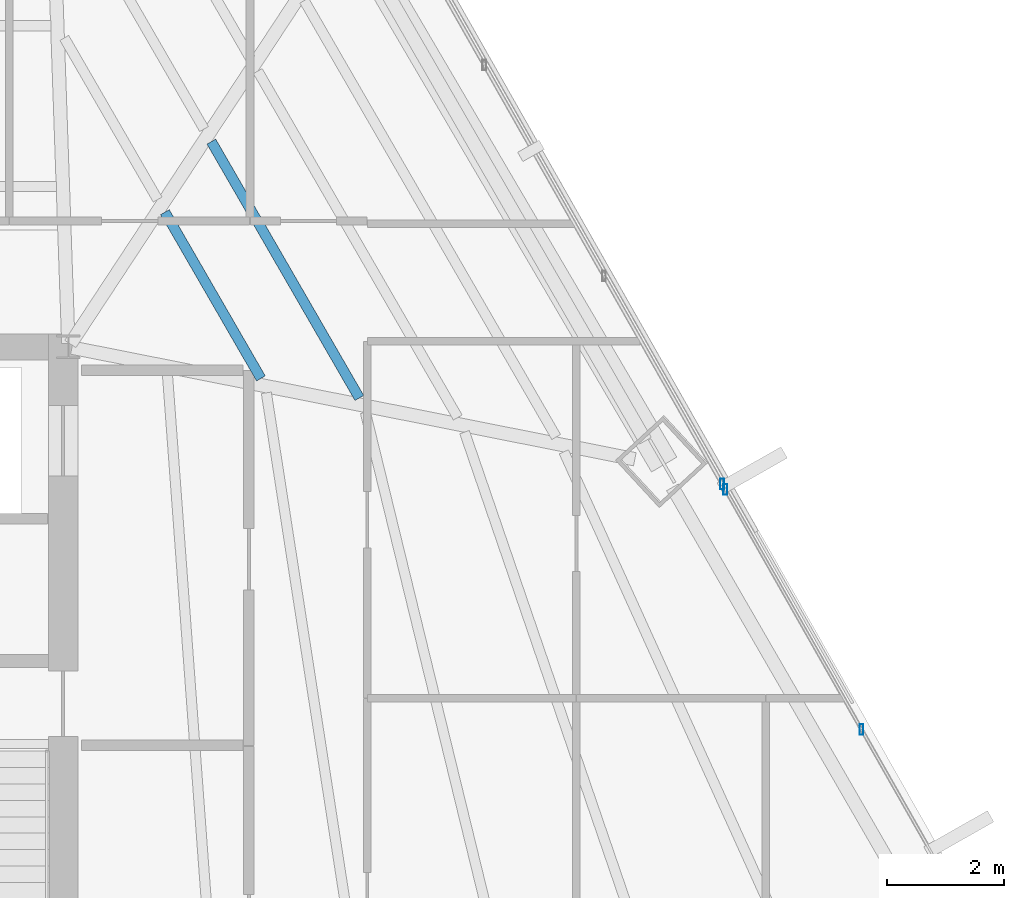
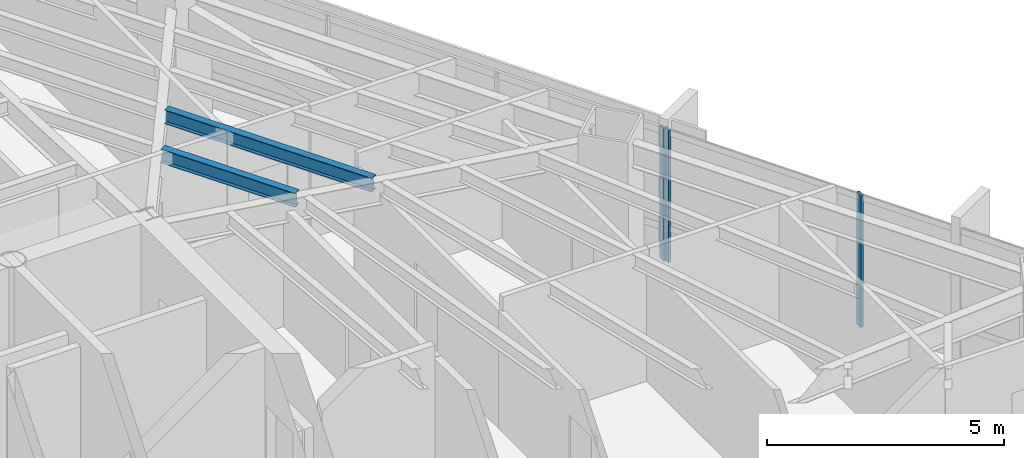
# One storey, part 20 of 35: 3 members, 2 beams, 2 elements without a shape of their own.
"""IFC4 building model written with IfcOpenShell, lengths in metres."""

from ifc_helpers import new_model, si_unit, direction, frame, origin, origin_2d, place, context, subcontext, project, spatial, hollow_rectangle, i_section, extrude, source, transform, mapped, material, material_profile, profile_set, type_object, type_shapes, element, aggregate, save


model = new_model("IFC4")

# Units and contexts
model_context = context("Model", 3, precision=1e-05, world=origin(), true_north=direction((0.0, 1.0)))
body_context = subcontext(model_context, "Body", "Model", "MODEL_VIEW")
ifc_project = project(units=[si_unit("LENGTHUNIT", "METRE"), si_unit("AREAUNIT", "SQUARE_METRE"), si_unit("VOLUMEUNIT", "CUBIC_METRE"), si_unit("PLANEANGLEUNIT", "RADIAN"), si_unit("MASSUNIT", "GRAM", prefix="KILO")], contexts=[model_context])

# Site, building, storey
site_placement = place(None, origin())
site = spatial("IfcSite", under=ifc_project, at=site_placement, CompositionType="ELEMENT")
building_placement = place(site_placement, origin())
building = spatial("IfcBuilding", under=site, at=building_placement, Name="Caelisora Broadcast Tower", CompositionType="ELEMENT")
storey_placement = place(building_placement, frame((0.0, 0.0, 123.64990234375)))
storey = spatial("IfcBuildingStorey", under=building, at=storey_placement, Name="L32", CompositionType="ELEMENT", Elevation=123.64990234375)

# Beams
ifc_material_1 = material(Name="Steel Grade 350 (AS/NZS 3679.1)", Category="steel")
ifc_material_profile_1 = material_profile(ifc_material_1, i_section(OverallWidth=0.172119140625, OverallDepth=0.358642578125, WebThickness=0.008056640625, FlangeThickness=0.012939453125, at=origin_2d()), Name="Steel Grade 350 (AS/NZS 3679.1)")
ifc_profile_set_1 = profile_set([ifc_material_profile_1], Name="Steel Grade 350 (AS/NZS 3679.1)")
beam_type = type_object("IfcBeamType", Name="SB02", PredefinedType="JOIST", material=ifc_profile_set_1)
shared_shape_1 = source(origin(), body_context, "Body", "SweptSolid", [
    extrude(i_section(OverallWidth=0.172119140625, OverallDepth=0.358642578125, WebThickness=0.008056640625, FlangeThickness=0.012939453125, at=origin_2d()), origin(), (0.0, 0.0, 1.0), 3.27685546875),
])
beam_1_placement = place(storey_placement, frame((48.78564453125, 29.46240234375, 3.220703125), z_axis=(-0.499993320981, 0.866029259884, 0.0), x_axis=(-0.866029259884, -0.499993320981, 0.0)))
element("IfcBeam", 1, at=beam_1_placement, inside=storey, type_object=beam_type, Name="L32 beam SB02", PredefinedType="JOIST", context=body_context, shape_type="MappedRepresentation", body=[
    mapped(shared_shape_1, transform((0.0, 0.0, 0.0), scale=1.0)),
])
shared_shape_2 = source(origin(), body_context, "Body", "SweptSolid", [
    extrude(i_section(OverallWidth=0.172119140625, OverallDepth=0.358642578125, WebThickness=0.008056640625, FlangeThickness=0.012939453125, at=origin_2d()), origin(), (0.0, 0.0, 1.0), 5.05224609375),
])
type_shapes(beam_type, [shared_shape_1, shared_shape_2])
beam_2_placement = place(storey_placement, frame((50.4658203125, 29.129150390625, 3.220703125), z_axis=(-0.500011084064, 0.866019004302, 0.0), x_axis=(-0.866019004302, -0.500011084064, 0.0)))
element("IfcBeam", 2, at=beam_2_placement, inside=storey, type_object=beam_type, Name="L32 beam SB02", PredefinedType="JOIST", context=body_context, shape_type="MappedRepresentation", body=[
    mapped(shared_shape_2, transform((0.0, 0.0, 0.0), scale=1.0)),
])

# Curtain wall, member
ifc_material_2 = material(Name="Unitised Aluminium Insulated Shadow-Box Spandrel Curtain Wall", Category="aluminium")
curtain_wall_type_1 = type_object("IfcCurtainWallType", Name="CW-SP1", PredefinedType="NOTDEFINED", material=ifc_material_2)
curtain_wall_1_placement = place(storey_placement, origin())
curtain_wall_1 = element("IfcCurtainWall", 3, at=curtain_wall_1_placement, inside=storey, type_object=curtain_wall_type_1, Name="L32 curtain wall CW-SP1", PredefinedType="NOTDEFINED")
ifc_material_3 = material(Name="Aluminium 6063-T6 Anodised Terracotta Bronze", Category="aluminium")
ifc_material_profile_2 = material_profile(ifc_material_3, hollow_rectangle(XDim=0.06494140625, YDim=0.179931640625, WallThickness=0.00341796875, at=origin_2d()), Name="Aluminium 6063-T6 Anodised Terracotta Bronze")
ifc_profile_set_2 = profile_set([ifc_material_profile_2], Name="Aluminium 6063-T6 Anodised Terracotta Bronze")
member_type = type_object("IfcMemberType", Name="CWM-02", PredefinedType="MULLION", material=ifc_profile_set_2)
shared_shape_3 = source(origin(), body_context, "Body", "SweptSolid", [
    extrude(hollow_rectangle(XDim=0.06494140625, YDim=0.179931640625, WallThickness=0.00341796875, at=origin_2d()), origin(), (0.0, 0.0, 1.0), 3.400146484375),
])
type_shapes(member_type, [shared_shape_3])
member_1_placement = place(storey_placement, frame((56.65869140625, 27.6611328125, 0.0), z_axis=(0.0, 0.0, 1.0), x_axis=(1.0, 0.0, 0.0)))
member_1 = element("IfcMember", 4, at=member_1_placement, type_object=member_type, Name="L32-CW-B02 mullion #3", PredefinedType="MULLION", context=body_context, shape_type="MappedRepresentation", body=[
    mapped(shared_shape_3, transform((0.0, 0.0, 0.0), scale=1.0)),
])
aggregate(curtain_wall_1, [member_1])

# Curtain wall, members
ifc_material_4 = material(Name="Unitised Aluminium and Low-E Glass Curtain Wall", Category="glass")
curtain_wall_type_2 = type_object("IfcCurtainWallType", Name="CW-Z2", PredefinedType="NOTDEFINED", material=ifc_material_4)
curtain_wall_2_placement = place(storey_placement, origin())
curtain_wall_2 = element("IfcCurtainWall", 5, at=curtain_wall_2_placement, inside=storey, type_object=curtain_wall_type_2, Name="L32 curtain wall CW-Z2", PredefinedType="NOTDEFINED")
member_2_placement = place(storey_placement, frame((56.713134765625, 27.5654296875, 0.0), z_axis=(0.0, 0.0, 1.0), x_axis=(1.0, 0.0, 0.0)))
member_2 = element("IfcMember", 6, at=member_2_placement, type_object=member_type, Name="L32-CW-B03 mullion #0", PredefinedType="MULLION", context=body_context, shape_type="MappedRepresentation", body=[
    mapped(shared_shape_3, transform((0.0, 0.0, 0.0), scale=1.0)),
])
member_3_placement = place(storey_placement, frame((59.0380859375, 23.47021484375, 0.0), z_axis=(0.0, 0.0, 1.0), x_axis=(1.0, 0.0, 0.0)))
member_3 = element("IfcMember", 7, at=member_3_placement, type_object=member_type, Name="L32-CW-B03 mullion #1", PredefinedType="MULLION", context=body_context, shape_type="MappedRepresentation", body=[
    mapped(shared_shape_3, transform((0.0, 0.0, 0.0), scale=1.0)),
])
aggregate(curtain_wall_2, [member_2, member_3])

save(model, "model.ifc")
